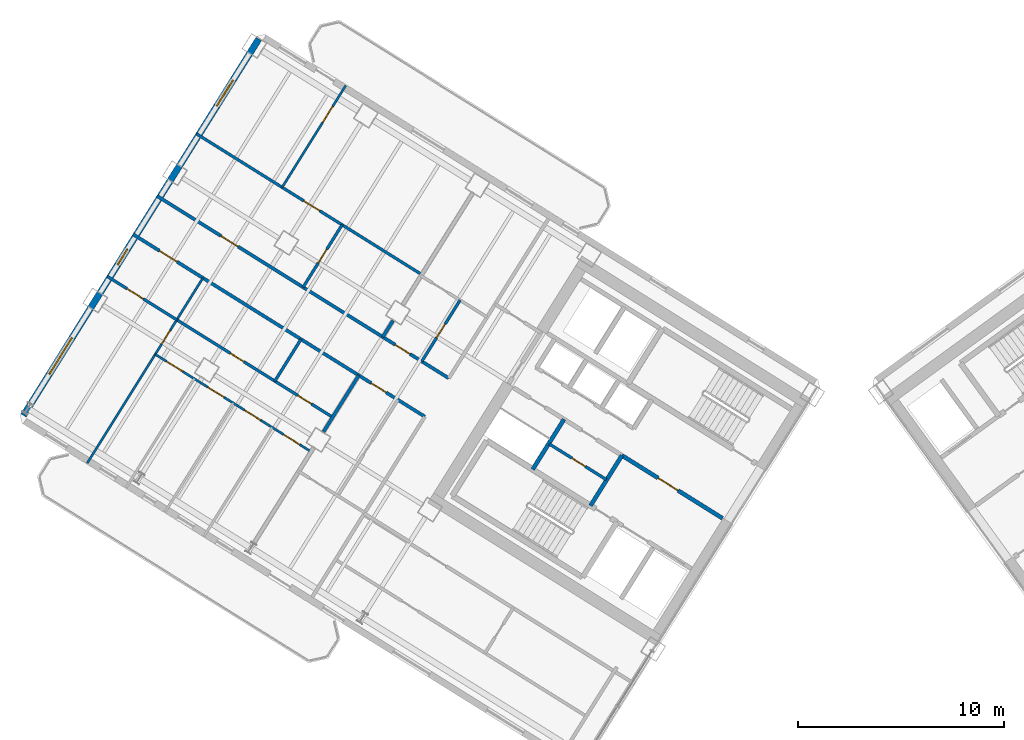
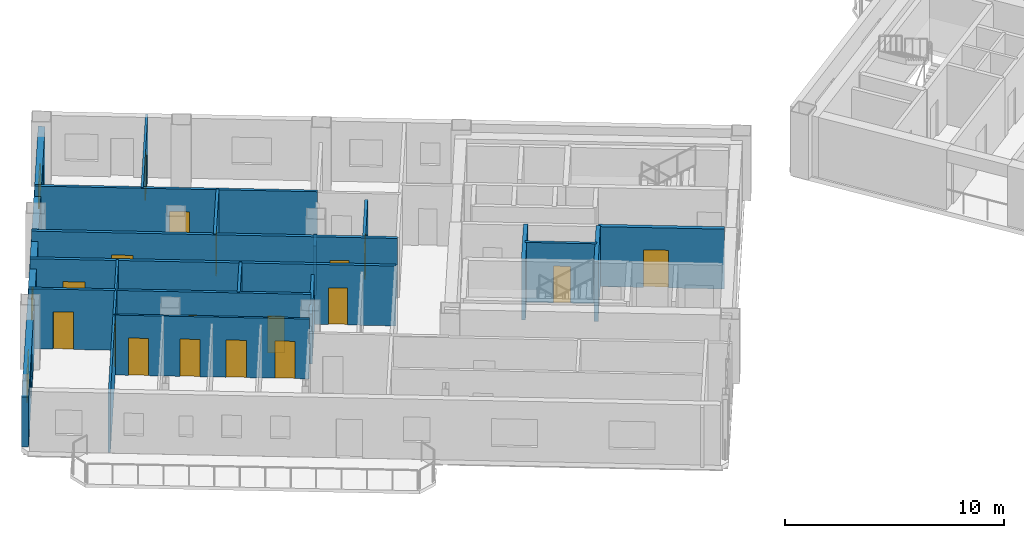
# One storey, part 11 of 18: 18 doors, 18 walls, 3 windows, 21 openings.
"""IFC4 building model written with IfcOpenShell, lengths in metres."""

import ifcopenshell
import ifcopenshell.guid

model = None  # the IFC model being written
_history = None  # IfcOwnerHistory: only IFC2X3 demands one
_inside = {}  # id of a spatial element -> (the spatial element, [elements in it])
_under = {}  # id of a project, library or spatial element -> (it, [spatial elements below it])
_declared = {}  # id of a project -> (the project, [libraries it declares])
_typed = {}  # id of a type object -> (the type object, [elements of that type])
_made_of = {}  # id of a material, layer set ... -> (it, [elements and type objects made of it])


def new_model(schema):
    """Start an empty IFC model of exactly this schema.

    Asked for "IFC4X3", IfcOpenShell would pick the latest addendum, in which some entities
    have other attributes; the version numbers below select the first issue.
    IFC2X3 requires an IfcOwnerHistory on every rooted entity: one is made here for all.
    """
    global model, _history
    if schema == "IFC4X3":
        model = ifcopenshell.file(schema_version=(4, 3, 0, 0))
    else:
        model = ifcopenshell.file(schema=schema)
    _inside.clear()
    _under.clear()
    _declared.clear()
    _typed.clear()
    _made_of.clear()
    _history = None
    if model.schema == "IFC2X3":
        org = make("IfcOrganization", Name="unknown")
        user = make(
            "IfcPersonAndOrganization",
            ThePerson=make("IfcPerson", FamilyName="unknown"),
            TheOrganization=org,
        )
        app = make(
            "IfcApplication",
            ApplicationDeveloper=org,
            Version="unknown",
            ApplicationFullName="unknown",
            ApplicationIdentifier="unknown",
        )
        _history = make(
            "IfcOwnerHistory",
            OwningUser=user,
            OwningApplication=app,
            ChangeAction="ADDED",
            CreationDate=0,
        )
    return model


def make(cls, **values):
    """One entity of the class cls with the attributes given. An attribute that is None is left unset."""
    return model.create_entity(
        cls, **{name: value for name, value in values.items() if value is not None}
    )


def rooted(cls, **values):
    """An entity with a GlobalId (a new one), such as an element, a storey or a relation."""
    return make(cls, GlobalId=ifcopenshell.guid.new(), OwnerHistory=_history, **values)


def si_unit(unit_type, name, prefix=None):
    """IfcSIUnit, for example si_unit("LENGTHUNIT", "METRE", prefix="MILLI")."""
    return make("IfcSIUnit", UnitType=unit_type, Prefix=prefix, Name=name)


def assignment(units):
    """IfcUnitAssignment: the units of a project."""
    return None if units is None else make("IfcUnitAssignment", Units=units)


def point(xyz):
    """IfcCartesianPoint."""
    return None if xyz is None else make("IfcCartesianPoint", Coordinates=xyz)


def direction(xyz):
    """IfcDirection."""
    return None if xyz is None else make("IfcDirection", DirectionRatios=xyz)


def frame(location, z_axis=None, x_axis=None):
    """IfcAxis2Placement3D, a coordinate frame: its origin and axes. An axis left out is left unset."""
    return make(
        "IfcAxis2Placement3D",
        Location=point(location),
        Axis=direction(z_axis),
        RefDirection=direction(x_axis),
    )


def frame_2d(location, x_axis=None):
    """IfcAxis2Placement2D, a coordinate frame in the plane: its origin and x axis."""
    return make(
        "IfcAxis2Placement2D", Location=point(location), RefDirection=direction(x_axis)
    )


def origin():
    """The frame at (0, 0, 0) with its axes left unset."""
    return frame((0.0, 0.0, 0.0))


def place(relative_to, where):
    """IfcLocalPlacement: puts the frame where relative to a parent placement (None: the world)."""
    return make(
        "IfcLocalPlacement", PlacementRelTo=relative_to, RelativePlacement=where
    )


def context(
    kind, dimensions, precision=None, world=None, true_north=None, identifier=None
):
    """IfcGeometricRepresentationContext, for example the 3D "Model" context."""
    return make(
        "IfcGeometricRepresentationContext",
        ContextIdentifier=identifier,
        ContextType=kind,
        CoordinateSpaceDimension=dimensions,
        Precision=precision,
        WorldCoordinateSystem=world,
        TrueNorth=true_north,
    )


def subcontext(parent, identifier, kind, view, scale=None):
    """IfcGeometricRepresentationSubContext, for example "Body" below "Model"."""
    return make(
        "IfcGeometricRepresentationSubContext",
        ContextIdentifier=identifier,
        ContextType=kind,
        ParentContext=parent,
        TargetScale=scale,
        TargetView=view,
    )


def project(units=None, contexts=None):
    """IfcProject with its units and contexts."""
    return rooted(
        "IfcProject",
        Name="project",
        RepresentationContexts=contexts,
        UnitsInContext=assignment(units),
    )


def spatial(cls, under=None, at=None, **own):
    """A site, building, storey or space (cls), placed at a placement, below another one or the project."""
    s = rooted(cls, ObjectPlacement=at, **own)
    if under is not None:
        _under.setdefault(under.id(), (under, []))[1].append(s)
    return s


def profile(cls, at=None, kind="AREA", **sizes):
    """A parametric profile (cls). Its sizes go by their IFC names, for example OverallWidth=200.0."""
    return make(cls, ProfileType=kind, Position=at, **sizes)


def rectangle(**sizes):
    """IfcRectangleProfileDef."""
    return profile("IfcRectangleProfileDef", **sizes)


def extrude(swept, where, along, depth):
    """IfcExtrudedAreaSolid: the profile swept, set in the frame where, extruded along a direction by depth."""
    return make(
        "IfcExtrudedAreaSolid",
        SweptArea=swept,
        Position=where,
        ExtrudedDirection=direction(along),
        Depth=depth,
    )


def shape(context_of_items, identifier, shape_type, items):
    """IfcShapeRepresentation: the items that make up one representation, for example the "Body"."""
    return make(
        "IfcShapeRepresentation",
        ContextOfItems=context_of_items,
        RepresentationIdentifier=identifier,
        RepresentationType=shape_type,
        Items=items,
    )


def source(mapping_origin, context_of_items, identifier, shape_type, items):
    """IfcRepresentationMap: a shape defined once, which mapped items show again and again."""
    return make(
        "IfcRepresentationMap",
        MappingOrigin=mapping_origin,
        MappedRepresentation=shape(context_of_items, identifier, shape_type, items),
    )


def transform(
    local_origin,
    x_axis=None,
    y_axis=None,
    z_axis=None,
    scale=None,
    scale2=None,
    scale3=None,
    uniform=True,
):
    """IfcCartesianTransformationOperator3D, or its non-uniform kind. x_axis, y_axis, z_axis: its Axis1, 2, 3."""
    if uniform:
        return make(
            "IfcCartesianTransformationOperator3D",
            Axis1=direction(x_axis),
            Axis2=direction(y_axis),
            LocalOrigin=point(local_origin),
            Scale=scale,
            Axis3=direction(z_axis),
        )
    return make(
        "IfcCartesianTransformationOperator3DnonUniform",
        Axis1=direction(x_axis),
        Axis2=direction(y_axis),
        LocalOrigin=point(local_origin),
        Scale=scale,
        Axis3=direction(z_axis),
        Scale2=scale2,
        Scale3=scale3,
    )


def mapped(mapping_source, mapping_target):
    """IfcMappedItem: shows the shape of a source again, moved by a transform."""
    return make(
        "IfcMappedItem", MappingSource=mapping_source, MappingTarget=mapping_target
    )


def material(Name=None, Category=None):
    """IfcMaterial."""
    return make("IfcMaterial", Name=Name, Category=Category)


def layer(
    of_material, thickness, ventilated=None, Name=None, Category=None, Priority=None
):
    """IfcMaterialLayer: one layer of a wall or slab, of a material (None: an air gap)."""
    return make(
        "IfcMaterialLayer",
        Material=of_material,
        LayerThickness=thickness,
        IsVentilated=ventilated,
        Name=Name,
        Category=Category,
        Priority=Priority,
    )


def layer_set(layers, Name=None):
    """IfcMaterialLayerSet."""
    return make("IfcMaterialLayerSet", MaterialLayers=layers, LayerSetName=Name)


def made_of(thing, what):
    """Note that an element or type object is made of a material, layer set ...; save() writes the relation."""
    if what is not None:
        _made_of.setdefault(what.id(), (what, []))[1].append(thing)
    return thing


def type_object(cls, material=None, **own):
    """A type object (cls), such as IfcWallType, which elements share."""
    return made_of(rooted(cls, **own), material)


def element(
    cls,
    number,
    at=None,
    inside=None,
    cuts=None,
    type_object=None,
    material=None,
    context=None,
    identifier="Body",
    shape_type=None,
    held_by="IfcProductDefinitionShape",
    body=None,
    shapes=None,
    **own,
):
    """One element of the class cls, such as IfcWall. Its Tag is "e" and its number.

    at: its placement. inside: the storey or other place that contains it. cuts: it is an
    opening in that element (IfcRelVoidsElement). A single representation is given by context,
    identifier, shape_type and body (its items); several are given by shapes. held_by: the class
    of the entity that holds the representations. save() writes the other relations.
    """
    e = rooted(cls, Tag="e%d" % number, ObjectPlacement=at, **own)
    if body is not None:
        shapes = [shape(context, identifier, shape_type, body)]
    if shapes is not None:
        e.Representation = make(held_by, Representations=shapes)
    if inside is not None:
        _inside.setdefault(inside.id(), (inside, []))[1].append(e)
    if cuts is not None:
        rooted(
            "IfcRelVoidsElement", RelatingBuildingElement=cuts, RelatedOpeningElement=e
        )
    if type_object is not None:
        _typed.setdefault(type_object.id(), (type_object, []))[1].append(e)
    return made_of(e, material)


def fill(opening, filler):
    """IfcRelFillsElement: the door or window that sits in an opening."""
    return rooted(
        "IfcRelFillsElement",
        RelatingOpeningElement=opening,
        RelatedBuildingElement=filler,
    )


def aggregate(whole, parts):
    """IfcRelAggregates: a whole, such as a stair, and the parts it consists of."""
    return rooted("IfcRelAggregates", RelatingObject=whole, RelatedObjects=parts)


def save(model, path):
    """Write the relations noted so far, then the file.

    IfcRelAggregates (storeys below a building ...), IfcRelContainedInSpatialStructure (elements
    in a storey), IfcRelDefinesByType, IfcRelAssociatesMaterial and IfcRelDeclares: one each for
    every whole, place, type object, material and project.
    """
    for whole, parts in _under.values():
        aggregate(whole, parts)
    for where, things in _inside.values():
        rooted(
            "IfcRelContainedInSpatialStructure",
            RelatedElements=things,
            RelatingStructure=where,
        )
    for kind, things in _typed.values():
        rooted("IfcRelDefinesByType", RelatedObjects=things, RelatingType=kind)
    for what, things in _made_of.values():
        rooted("IfcRelAssociatesMaterial", RelatedObjects=things, RelatingMaterial=what)
    for by, libraries in _declared.values():
        rooted("IfcRelDeclares", RelatingContext=by, RelatedDefinitions=libraries)
    model.write(path)


model = new_model("IFC4")

# Units and contexts
model_context = context("Model", 3, precision=1e-05, world=origin(), true_north=direction((0.0, 1.0)))
body_context = subcontext(model_context, "Body", "Model", "MODEL_VIEW")
ifc_project = project(units=[si_unit("LENGTHUNIT", "METRE"), si_unit("AREAUNIT", "SQUARE_METRE"), si_unit("VOLUMEUNIT", "CUBIC_METRE"), si_unit("PLANEANGLEUNIT", "RADIAN"), si_unit("MASSUNIT", "GRAM", prefix="KILO")], contexts=[model_context])

# Site, building, storey
site_placement = place(None, origin())
site = spatial("IfcSite", under=ifc_project, at=site_placement, CompositionType="ELEMENT")
building_placement = place(site_placement, origin())
building = spatial("IfcBuilding", under=site, at=building_placement, Name="Tlacorven Tower", CompositionType="ELEMENT")
storey_placement = place(building_placement, frame((0.0, 0.0, 140.699951171875)))
storey = spatial("IfcBuildingStorey", under=building, at=storey_placement, Name="L35", CompositionType="ELEMENT", Elevation=140.699951171875)

# Wall, openings, doors
ifc_material_1 = material(Name="Gypsum plasterboard acoustic partition", Category="gypsum")
ifc_layer_1 = layer(ifc_material_1, 0.159912109375)
ifc_layer_set_1 = layer_set([ifc_layer_1], Name="Gypsum plasterboard acoustic partition")
wall_type_1 = type_object("IfcWallType", Name="WL-DEM-160", PredefinedType="PARTITIONING", material=ifc_layer_set_1)
wall_1_placement = place(storey_placement, frame((23.104248046875, 25.25634765625, 0.0), z_axis=(0.0, 0.0, 1.0), x_axis=(-0.848041752158, 0.529929416617, 0.0)))
wall_1 = element("IfcWall", 1, at=wall_1_placement, inside=storey, type_object=wall_type_1, Name="L35 Wing W Corridor South Wall", PredefinedType="PARTITIONING", context=body_context, shape_type="SweptSolid", body=[
    extrude(rectangle(XDim=16.72998046875, YDim=0.159912109375, at=frame_2d((8.364990234375, 0.0))), origin(), (0.0, 0.0, 1.0), 3.340087890625),
])
opening_1_placement = place(wall_1_placement, frame((2.219970703125, 0.0, 0.0)))
opening_1 = element("IfcOpeningElement", 2, at=opening_1_placement, cuts=wall_1, Name="Opening D19", PredefinedType="OPENING", context=body_context, shape_type="SweptSolid", body=[
    extrude(rectangle(XDim=0.860107421875, YDim=2.050048828125, at=frame_2d((0.43017578125, 1.02490234375))), frame((0.0, 0.08984375, 0.0), z_axis=(0.0, -1.0, 0.0), x_axis=(1.0, 0.0, 0.0)), (0.0, 0.0, 1.0), 0.179931640625),
])
opening_2_placement = place(wall_1_placement, frame((12.083984375, 0.0, 0.0)))
opening_2 = element("IfcOpeningElement", 3, at=opening_2_placement, cuts=wall_1, Name="Opening D11", PredefinedType="OPENING", context=body_context, shape_type="SweptSolid", body=[
    extrude(rectangle(XDim=1.0, YDim=2.10009765625, at=frame_2d((0.5, 1.050048828125))), frame((0.0, 0.08984375, 0.0), z_axis=(0.0, -1.0, 0.0), x_axis=(1.0, 0.0, 0.0)), (0.0, 0.0, 1.0), 0.179931640625),
])
ifc_material_2 = material(Name="Fire-rated steel door assembly", Category="steel")
door_type_1 = type_object("IfcDoorType", Name="DR-RSR-FD60-0860", OperationType="NOTDEFINED", PredefinedType="DOOR", material=ifc_material_2)
shared_shape_1 = source(origin(), body_context, "Body", "SweptSolid", [
    extrude(rectangle(XDim=0.860107421875, YDim=2.050048828125, at=frame_2d((0.43017578125, 1.02490234375))), frame((0.0, 0.02490234375, 0.0), z_axis=(0.0, -1.0, 0.0), x_axis=(1.0, 0.0, 0.0)), (0.0, 0.0, 1.0), 0.050048828125),
])
door_1_placement = place(opening_1_placement, origin())
door_1 = element("IfcDoor", 4, at=door_1_placement, inside=storey, type_object=door_type_1, Name="L35 door 038", OperationType="SINGLE_SWING_RIGHT", OverallHeight=2.050048828125, OverallWidth=0.860107421875, PredefinedType="DOOR", context=body_context, shape_type="MappedRepresentation", body=[
    mapped(shared_shape_1, transform((0.0, 0.0, 0.0), scale=1.0)),
])
fill(opening_1, door_1)
door_type_2 = type_object("IfcDoorType", Name="DR-FLT-FD60-1000", OperationType="NOTDEFINED", PredefinedType="DOOR", material=ifc_material_2)
shared_shape_2 = source(origin(), body_context, "Body", "SweptSolid", [
    extrude(rectangle(XDim=1.0, YDim=2.10009765625, at=frame_2d((0.5, 1.050048828125))), frame((0.0, 0.02490234375, 0.0), z_axis=(0.0, -1.0, 0.0), x_axis=(1.0, 0.0, 0.0)), (0.0, 0.0, 1.0), 0.050048828125),
])
door_2_placement = place(opening_2_placement, origin())
door_2 = element("IfcDoor", 5, at=door_2_placement, inside=storey, type_object=door_type_2, Name="L35 door 042", OperationType="SINGLE_SWING_RIGHT", OverallHeight=2.10009765625, OverallWidth=1.0, PredefinedType="DOOR", context=body_context, shape_type="MappedRepresentation", body=[
    mapped(shared_shape_2, transform((0.0, 0.0, 0.0), scale=1.0)),
])
fill(opening_2, door_2)

wall_2_placement = place(storey_placement, frame((21.9384765625, 23.390625, 0.0), z_axis=(0.0, 0.0, 1.0), x_axis=(-0.848045850158, 0.529922858565, 0.0)))
wall_2 = element("IfcWall", 6, at=wall_2_placement, inside=storey, type_object=wall_type_1, Name="L35 Wing W Corridor North Wall", PredefinedType="PARTITIONING", context=body_context, shape_type="SweptSolid", body=[
    extrude(rectangle(XDim=16.730224609375, YDim=0.159912109375, at=frame_2d((8.365234375, 0.0))), origin(), (0.0, 0.0, 1.0), 3.340087890625),
])
opening_3_placement = place(wall_2_placement, frame((2.219970703125, 0.0, 0.0)))
opening_3 = element("IfcOpeningElement", 7, at=opening_3_placement, cuts=wall_2, Name="Opening D19", PredefinedType="OPENING", context=body_context, shape_type="SweptSolid", body=[
    extrude(rectangle(XDim=0.860107421875, YDim=2.050048828125, at=frame_2d((0.43017578125, 1.02490234375))), frame((0.0, 0.08984375, 0.0), z_axis=(0.0, -1.0, 0.0), x_axis=(1.0, 0.0, 0.0)), (0.0, 0.0, 1.0), 0.179931640625),
])
opening_4_placement = place(wall_2_placement, frame((14.219970703125, 0.0, 0.0)))
opening_4 = element("IfcOpeningElement", 8, at=opening_4_placement, cuts=wall_2, Name="Opening D11", PredefinedType="OPENING", context=body_context, shape_type="SweptSolid", body=[
    extrude(rectangle(XDim=1.0, YDim=2.10009765625, at=frame_2d((0.5, 1.050048828125))), frame((0.0, 0.08984375, 0.0), z_axis=(0.0, -1.0, 0.0), x_axis=(1.0, 0.0, 0.0)), (0.0, 0.0, 1.0), 0.179931640625),
])
door_3_placement = place(opening_3_placement, origin())
door_3 = element("IfcDoor", 9, at=door_3_placement, inside=storey, type_object=door_type_1, Name="L35 door 025", OperationType="SINGLE_SWING_LEFT", OverallHeight=2.050048828125, OverallWidth=0.860107421875, PredefinedType="DOOR", context=body_context, shape_type="MappedRepresentation", body=[
    mapped(shared_shape_1, transform((0.0, 0.0, 0.0), scale=1.0)),
])
fill(opening_3, door_3)
door_4_placement = place(opening_4_placement, origin())
door_4 = element("IfcDoor", 10, at=door_4_placement, inside=storey, type_object=door_type_2, Name="L35 door 029", OperationType="SINGLE_SWING_LEFT", OverallHeight=2.10009765625, OverallWidth=1.0, PredefinedType="DOOR", context=body_context, shape_type="MappedRepresentation", body=[
    mapped(shared_shape_2, transform((0.0, 0.0, 0.0), scale=1.0)),
])
fill(opening_4, door_4)

# Walls
wall_3_placement = place(storey_placement, frame((18.724365234375, 25.399169921875, 0.0), z_axis=(0.0, 0.0, 1.0), x_axis=(-0.529890499457, -0.848066069705, 0.0)))
element("IfcWall", 11, at=wall_3_placement, inside=storey, type_object=wall_type_1, Name="L35 WN Demising Wall 1", PredefinedType="PARTITIONING", context=body_context, shape_type="SweptSolid", body=[
    extrude(rectangle(XDim=3.238037109375, YDim=0.159912109375, at=frame_2d((1.619140625, 0.0))), origin(), (0.0, 0.0, 1.0), 2.775146484375),
])
wall_4_placement = place(storey_placement, frame((20.38720703125, 28.060302734375, 0.0), z_axis=(0.0, 0.0, 1.0), x_axis=(-0.529952145338, -0.848027548876, 0.0)))
element("IfcWall", 12, at=wall_4_placement, inside=storey, type_object=wall_type_1, Name="L35 WS Demising Wall 1", PredefinedType="PARTITIONING", context=body_context, shape_type="SweptSolid", body=[
    extrude(rectangle(XDim=0.93798828125, YDim=0.159912109375, at=frame_2d((0.468994140625, 0.0))), origin(), (0.0, 0.0, 1.0), 2.775146484375),
])

# Wall, openings, windows
ifc_material_3 = material(Name="Precast concrete C45/55", Category="concrete")
ifc_layer_2 = layer(ifc_material_3, 0.320068359375)
ifc_layer_set_2 = layer_set([ifc_layer_2], Name="Precast concrete C45/55")
wall_type_2 = type_object("IfcWallType", Name="WL-EXT-320", PredefinedType="STANDARD", material=ifc_layer_set_2)
wall_5_placement = place(storey_placement, frame((2.41455078125, 23.452392578125, 0.0), z_axis=(0.0, 0.0, 1.0), x_axis=(0.52991049553, 0.848053575387, 0.0)))
wall_5 = element("IfcWall", 13, at=wall_5_placement, inside=storey, type_object=wall_type_2, Name="L35 Masonry-Frame Recessed Facade Wall 2", PredefinedType="STANDARD", context=body_context, shape_type="SweptSolid", body=[
    extrude(rectangle(XDim=21.58740234375, YDim=0.320068359375, at=frame_2d((10.793701171875, 0.0))), origin(), (0.0, 0.0, 1.0), 2.775146484375),
])
opening_5_placement = place(wall_5_placement, frame((2.356201171875, 0.0, 0.800048828125)))
opening_5 = element("IfcOpeningElement", 14, at=opening_5_placement, cuts=wall_5, Name="Opening WN04", PredefinedType="OPENING", context=body_context, shape_type="SweptSolid", body=[
    extrude(rectangle(XDim=2.10009765625, YDim=1.550048828125, at=frame_2d((1.050048828125, 0.77490234375))), frame((0.0, 0.169921875, 0.0), z_axis=(0.0, -1.0, 0.0), x_axis=(1.0, 0.0, 0.0)), (0.0, 0.0, 1.0), 0.340087890625),
])
opening_6_placement = place(wall_5_placement, frame((8.638671875, 0.0, 1.0)))
opening_6 = element("IfcOpeningElement", 15, at=opening_6_placement, cuts=wall_5, Name="Opening WN05", PredefinedType="OPENING", context=body_context, shape_type="SweptSolid", body=[
    extrude(rectangle(XDim=0.89990234375, YDim=1.25, at=frame_2d((0.449951171875, 0.625))), frame((0.0, 0.169921875, 0.0), z_axis=(0.0, -1.0, 0.0), x_axis=(1.0, 0.0, 0.0)), (0.0, 0.0, 1.0), 0.340087890625),
])
opening_7_placement = place(wall_5_placement, frame((17.74365234375, 0.0, 0.85009765625)))
opening_7 = element("IfcOpeningElement", 16, at=opening_7_placement, cuts=wall_5, Name="Opening WN02", PredefinedType="OPENING", context=body_context, shape_type="SweptSolid", body=[
    extrude(rectangle(XDim=1.5, YDim=1.5, at=frame_2d((0.75, 0.75))), frame((0.0, 0.169921875, 0.0), z_axis=(0.0, -1.0, 0.0), x_axis=(1.0, 0.0, 0.0)), (0.0, 0.0, 1.0), 0.340087890625),
])
ifc_material_4 = material(Name="Dark solar low-E double glazing in anodised aluminium frame", Category="aluminium")
window_type_1 = type_object("IfcWindowType", Name="WN-APT-2100X1750", PartitioningType="SINGLE_PANEL", PredefinedType="WINDOW", material=ifc_material_4)
shared_shape_3 = source(origin(), body_context, "Body", "SweptSolid", [
    extrude(rectangle(XDim=2.10009765625, YDim=1.550048828125, at=frame_2d((1.050048828125, 0.77490234375))), frame((0.0, 0.030029296875, 0.0), z_axis=(0.0, -1.0, 0.0), x_axis=(1.0, 0.0, 0.0)), (0.0, 0.0, 1.0), 0.06005859375),
])
window_1_placement = place(opening_5_placement, origin())
window_1 = element("IfcWindow", 17, at=window_1_placement, inside=storey, type_object=window_type_1, Name="L35 Recessed Masonry-Frame Window L35-02.1", OverallHeight=1.550048828125, OverallWidth=2.10009765625, PartitioningType="SINGLE_PANEL", PredefinedType="WINDOW", context=body_context, shape_type="MappedRepresentation", body=[
    mapped(shared_shape_3, transform((0.0, 0.0, 0.0), scale=1.0)),
])
fill(opening_5, window_1)
window_type_2 = type_object("IfcWindowType", Name="WN-APT-1500X1650", PartitioningType="SINGLE_PANEL", PredefinedType="WINDOW", material=ifc_material_4)
shared_shape_4 = source(origin(), body_context, "Body", "SweptSolid", [
    extrude(rectangle(XDim=1.5, YDim=1.5, at=frame_2d((0.75, 0.75))), frame((0.0, 0.030029296875, 0.0), z_axis=(0.0, -1.0, 0.0), x_axis=(1.0, 0.0, 0.0)), (0.0, 0.0, 1.0), 0.06005859375),
])
window_2_placement = place(opening_7_placement, origin())
window_2 = element("IfcWindow", 18, at=window_2_placement, inside=storey, type_object=window_type_2, Name="L35 Recessed Masonry-Frame Window L35-02.3", OverallHeight=1.5, OverallWidth=1.5, PartitioningType="SINGLE_PANEL", PredefinedType="WINDOW", context=body_context, shape_type="MappedRepresentation", body=[
    mapped(shared_shape_4, transform((0.0, 0.0, 0.0), scale=1.0)),
])
fill(opening_7, window_2)
window_type_3 = type_object("IfcWindowType", Name="WN-APT-0900X1350", PartitioningType="SINGLE_PANEL", PredefinedType="WINDOW", material=ifc_material_4)
shared_shape_5 = source(origin(), body_context, "Body", "SweptSolid", [
    extrude(rectangle(XDim=0.89990234375, YDim=1.25, at=frame_2d((0.449951171875, 0.625))), frame((0.0, 0.030029296875, 0.0), z_axis=(0.0, -1.0, 0.0), x_axis=(1.0, 0.0, 0.0)), (0.0, 0.0, 1.0), 0.06005859375),
])
window_3_placement = place(opening_6_placement, origin())
window_3 = element("IfcWindow", 19, at=window_3_placement, inside=storey, type_object=window_type_3, Name="L35 Recessed Masonry-Frame Window L35-02.2", OverallHeight=1.25, OverallWidth=0.89990234375, PartitioningType="SINGLE_PANEL", PredefinedType="WINDOW", context=body_context, shape_type="MappedRepresentation", body=[
    mapped(shared_shape_5, transform((0.0, 0.0, 0.0), scale=1.0)),
])
fill(opening_6, window_3)

# Wall, opening, door
ifc_material_5 = material(Name="Gypsum plasterboard partition", Category="gypsum")
ifc_layer_3 = layer(ifc_material_5, 0.110107421875)
ifc_layer_set_3 = layer_set([ifc_layer_3], Name="Gypsum plasterboard partition")
wall_type_3 = type_object("IfcWallType", Name="WL-INT-110", PredefinedType="PARTITIONING", material=ifc_layer_set_3)
wall_6_placement = place(storey_placement, frame((11.142822265625, 30.136474609375, 0.0), z_axis=(0.0, 0.0, 1.0), x_axis=(-0.529922479612, -0.848046086956, 0.0)))
wall_6 = element("IfcWall", 20, at=wall_6_placement, inside=storey, type_object=wall_type_3, Name="L35 partition 56", PredefinedType="PARTITIONING", context=body_context, shape_type="SweptSolid", body=[
    extrude(rectangle(XDim=10.619873046875, YDim=0.110107421875, at=frame_2d((5.31005859375, 0.0))), origin(), (0.0, 0.0, 1.0), 3.340087890625),
])
opening_8_placement = place(wall_6_placement, frame((3.0, 0.0, 0.0)))
opening_8 = element("IfcOpeningElement", 21, at=opening_8_placement, cuts=wall_6, Name="Opening D22", PredefinedType="OPENING", context=body_context, shape_type="SweptSolid", body=[
    extrude(rectangle(XDim=0.780029296875, YDim=2.050048828125, at=frame_2d((0.39013671875, 1.02490234375))), frame((0.0, 0.06494140625, 0.0), z_axis=(0.0, -1.0, 0.0), x_axis=(1.0, 0.0, 0.0)), (0.0, 0.0, 1.0), 0.130126953125),
])
ifc_material_6 = material(Name="Powder-coated aluminium and timber door", Category="wood")
door_type_3 = type_object("IfcDoorType", Name="DR-INT-WET-0780", OperationType="NOTDEFINED", PredefinedType="DOOR", material=ifc_material_6)
shared_shape_6 = source(origin(), body_context, "Body", "SweptSolid", [
    extrude(rectangle(XDim=0.780029296875, YDim=2.050048828125, at=frame_2d((0.39013671875, 1.02490234375))), frame((0.0, 0.02490234375, 0.0), z_axis=(0.0, -1.0, 0.0), x_axis=(1.0, 0.0, 0.0)), (0.0, 0.0, 1.0), 0.050048828125),
])
door_5_placement = place(opening_8_placement, origin())
door_5 = element("IfcDoor", 22, at=door_5_placement, inside=storey, type_object=door_type_3, Name="L35 door 031", OperationType="SINGLE_SWING_LEFT", OverallHeight=2.050048828125, OverallWidth=0.780029296875, PredefinedType="DOOR", context=body_context, shape_type="MappedRepresentation", body=[
    mapped(shared_shape_6, transform((0.0, 0.0, 0.0), scale=1.0)),
])
fill(opening_8, door_5)

# Wall, openings, doors
wall_7_placement = place(storey_placement, frame((16.4033203125, 21.6845703125, 0.0), z_axis=(0.0, 0.0, 1.0), x_axis=(-0.848044326704, 0.52992529657, 0.0)))
wall_7 = element("IfcWall", 23, at=wall_7_placement, inside=storey, type_object=wall_type_3, Name="L35 partition 61", PredefinedType="PARTITIONING", context=body_context, shape_type="SweptSolid", body=[
    extrude(rectangle(XDim=8.93994140625, YDim=0.110107421875, at=frame_2d((4.469970703125, 0.0))), origin(), (0.0, 0.0, 1.0), 3.340087890625),
])
opening_9_placement = place(wall_7_placement, frame((0.657470703125, 0.0, 0.0)))
opening_9 = element("IfcOpeningElement", 24, at=opening_9_placement, cuts=wall_7, Name="Opening D12", PredefinedType="OPENING", context=body_context, shape_type="SweptSolid", body=[
    extrude(rectangle(XDim=0.919921875, YDim=2.080078125, at=frame_2d((0.4599609375, 1.0400390625))), frame((0.0, 0.06494140625, 0.0), z_axis=(0.0, -1.0, 0.0), x_axis=(1.0, 0.0, 0.0)), (0.0, 0.0, 1.0), 0.130126953125),
])
opening_10_placement = place(wall_7_placement, frame((2.892578125, 0.0, 0.0)))
opening_10 = element("IfcOpeningElement", 25, at=opening_10_placement, cuts=wall_7, Name="Opening D12", PredefinedType="OPENING", context=body_context, shape_type="SweptSolid", body=[
    extrude(rectangle(XDim=0.919921875, YDim=2.080078125, at=frame_2d((0.4599609375, 1.0400390625))), frame((0.0, 0.06494140625, 0.0), z_axis=(0.0, -1.0, 0.0), x_axis=(1.0, 0.0, 0.0)), (0.0, 0.0, 1.0), 0.130126953125),
])
opening_11_placement = place(wall_7_placement, frame((5.007568359375, 0.0, 0.0)))
opening_11 = element("IfcOpeningElement", 26, at=opening_11_placement, cuts=wall_7, Name="Opening D12", PredefinedType="OPENING", context=body_context, shape_type="SweptSolid", body=[
    extrude(rectangle(XDim=0.919921875, YDim=2.080078125, at=frame_2d((0.4599609375, 1.0400390625))), frame((0.0, 0.06494140625, 0.0), z_axis=(0.0, -1.0, 0.0), x_axis=(1.0, 0.0, 0.0)), (0.0, 0.0, 1.0), 0.130126953125),
])
opening_12_placement = place(wall_7_placement, frame((7.362548828125, 0.0, 0.0)))
opening_12 = element("IfcOpeningElement", 27, at=opening_12_placement, cuts=wall_7, Name="Opening D12", PredefinedType="OPENING", context=body_context, shape_type="SweptSolid", body=[
    extrude(rectangle(XDim=0.919921875, YDim=2.080078125, at=frame_2d((0.4599609375, 1.0400390625))), frame((0.0, 0.06494140625, 0.0), z_axis=(0.0, -1.0, 0.0), x_axis=(1.0, 0.0, 0.0)), (0.0, 0.0, 1.0), 0.130126953125),
])
door_type_4 = type_object("IfcDoorType", Name="DR-INT-ROOM-0920", OperationType="NOTDEFINED", PredefinedType="DOOR", material=ifc_material_6)
shared_shape_7 = source(origin(), body_context, "Body", "SweptSolid", [
    extrude(rectangle(XDim=0.919921875, YDim=2.080078125, at=frame_2d((0.4599609375, 1.0400390625))), frame((0.0, 0.02490234375, 0.0), z_axis=(0.0, -1.0, 0.0), x_axis=(1.0, 0.0, 0.0)), (0.0, 0.0, 1.0), 0.050048828125),
])
door_6_placement = place(opening_9_placement, origin())
door_6 = element("IfcDoor", 28, at=door_6_placement, inside=storey, type_object=door_type_4, Name="L35 door 034", OperationType="SINGLE_SWING_RIGHT", OverallHeight=2.080078125, OverallWidth=0.919921875, PredefinedType="DOOR", context=body_context, shape_type="MappedRepresentation", body=[
    mapped(shared_shape_7, transform((0.0, 0.0, 0.0), scale=1.0)),
])
fill(opening_9, door_6)
door_7_placement = place(opening_10_placement, origin())
door_7 = element("IfcDoor", 29, at=door_7_placement, inside=storey, type_object=door_type_4, Name="L35 door 035", OperationType="SINGLE_SWING_LEFT", OverallHeight=2.080078125, OverallWidth=0.919921875, PredefinedType="DOOR", context=body_context, shape_type="MappedRepresentation", body=[
    mapped(shared_shape_7, transform((0.0, 0.0, 0.0), scale=1.0)),
])
fill(opening_10, door_7)
door_8_placement = place(opening_11_placement, origin())
door_8 = element("IfcDoor", 30, at=door_8_placement, inside=storey, type_object=door_type_4, Name="L35 door 036", OperationType="SINGLE_SWING_RIGHT", OverallHeight=2.080078125, OverallWidth=0.919921875, PredefinedType="DOOR", context=body_context, shape_type="MappedRepresentation", body=[
    mapped(shared_shape_7, transform((0.0, 0.0, 0.0), scale=1.0)),
])
fill(opening_11, door_8)
door_9_placement = place(opening_12_placement, origin())
door_9 = element("IfcDoor", 31, at=door_9_placement, inside=storey, type_object=door_type_4, Name="L35 door 037", OperationType="SINGLE_SWING_LEFT", OverallHeight=2.080078125, OverallWidth=0.919921875, PredefinedType="DOOR", context=body_context, shape_type="MappedRepresentation", body=[
    mapped(shared_shape_7, transform((0.0, 0.0, 0.0), scale=1.0)),
])
fill(opening_12, door_9)

# Wall, opening, door
wall_8_placement = place(storey_placement, frame((18.089111328125, 39.498046875, 0.0), z_axis=(0.0, 0.0, 1.0), x_axis=(-0.529916267533, -0.848049968695, 0.0)))
wall_8 = element("IfcWall", 32, at=wall_8_placement, inside=storey, type_object=wall_type_3, Name="L35 partition 70", PredefinedType="PARTITIONING", context=body_context, shape_type="SweptSolid", body=[
    extrude(rectangle(XDim=5.840087890625, YDim=0.110107421875, at=frame_2d((2.919921875, 0.0))), origin(), (0.0, 0.0, 1.0), 3.340087890625),
])
opening_13_placement = place(wall_8_placement, frame((1.18994140625, 0.0, 0.0)))
opening_13 = element("IfcOpeningElement", 33, at=opening_13_placement, cuts=wall_8, Name="Opening D12", PredefinedType="OPENING", context=body_context, shape_type="SweptSolid", body=[
    extrude(rectangle(XDim=0.919921875, YDim=2.080078125, at=frame_2d((0.4599609375, 1.0400390625))), frame((0.0, 0.06494140625, 0.0), z_axis=(0.0, -1.0, 0.0), x_axis=(1.0, 0.0, 0.0)), (0.0, 0.0, 1.0), 0.130126953125),
])
door_10_placement = place(opening_13_placement, origin())
door_10 = element("IfcDoor", 34, at=door_10_placement, inside=storey, type_object=door_type_4, Name="L35 door 041", OperationType="SINGLE_SWING_LEFT", OverallHeight=2.080078125, OverallWidth=0.919921875, PredefinedType="DOOR", context=body_context, shape_type="MappedRepresentation", body=[
    mapped(shared_shape_7, transform((0.0, 0.0, 0.0), scale=1.0)),
])
fill(opening_13, door_10)

ifc_material_7 = material(Name="Moisture-resistant gypsum plumbing wall", Category="gypsum")
ifc_layer_4 = layer(ifc_material_7, 0.139892578125)
ifc_layer_set_4 = layer_set([ifc_layer_4], Name="Moisture-resistant gypsum plumbing wall")
wall_type_4 = type_object("IfcWallType", Name="WL-PLM-140", PredefinedType="PLUMBINGWALL", material=ifc_layer_set_4)
wall_9_placement = place(storey_placement, frame((30.766357421875, 20.3271484375, 0.0), z_axis=(0.0, 0.0, 1.0), x_axis=(-0.848052663127, 0.529911955482, 0.0)))
wall_9 = element("IfcWall", 35, at=wall_9_placement, inside=storey, type_object=wall_type_4, Name="L35 partition 23", PredefinedType="PLUMBINGWALL", context=body_context, shape_type="SweptSolid", body=[
    extrude(rectangle(XDim=3.27978515625, YDim=0.139892578125, at=frame_2d((1.639892578125, 0.0))), origin(), (0.0, 0.0, 1.0), 3.340087890625),
])
opening_14_placement = place(wall_9_placement, frame((1.199951171875, 0.0, 0.0)))
opening_14 = element("IfcOpeningElement", 36, at=opening_14_placement, cuts=wall_9, Name="Opening D22", PredefinedType="OPENING", context=body_context, shape_type="SweptSolid", body=[
    extrude(rectangle(XDim=0.780029296875, YDim=2.050048828125, at=frame_2d((0.39013671875, 1.02490234375))), frame((0.0, 0.080078125, 0.0), z_axis=(0.0, -1.0, 0.0), x_axis=(1.0, 0.0, 0.0)), (0.0, 0.0, 1.0), 0.159912109375),
])
door_11_placement = place(opening_14_placement, origin())
door_11 = element("IfcDoor", 37, at=door_11_placement, inside=storey, type_object=door_type_3, Name="L35 door 011", OperationType="SINGLE_SWING_RIGHT", OverallHeight=2.050048828125, OverallWidth=0.780029296875, PredefinedType="DOOR", context=body_context, shape_type="MappedRepresentation", body=[
    mapped(shared_shape_6, transform((0.0, 0.0, 0.0), scale=1.0)),
])
fill(opening_14, door_11)

wall_10_placement = place(storey_placement, frame((9.870849609375, 28.101318359375, 0.0), z_axis=(0.0, 0.0, 1.0), x_axis=(-0.848025873403, 0.529954826413, 0.0)))
wall_10 = element("IfcWall", 38, at=wall_10_placement, inside=storey, type_object=wall_type_4, Name="L35 partition 58", PredefinedType="PLUMBINGWALL", context=body_context, shape_type="SweptSolid", body=[
    extrude(rectangle(XDim=3.979736328125, YDim=0.139892578125, at=frame_2d((1.98974609375, 0.0))), origin(), (0.0, 0.0, 1.0), 3.340087890625),
])
opening_15_placement = place(wall_10_placement, frame((1.929931640625, 0.0, 0.0)))
opening_15 = element("IfcOpeningElement", 39, at=opening_15_placement, cuts=wall_10, Name="Opening D12", PredefinedType="OPENING", context=body_context, shape_type="SweptSolid", body=[
    extrude(rectangle(XDim=0.919921875, YDim=2.080078125, at=frame_2d((0.4599609375, 1.0400390625))), frame((0.0, 0.080078125, 0.0), z_axis=(0.0, -1.0, 0.0), x_axis=(1.0, 0.0, 0.0)), (0.0, 0.0, 1.0), 0.159912109375),
])
door_12_placement = place(opening_15_placement, origin())
door_12 = element("IfcDoor", 40, at=door_12_placement, inside=storey, type_object=door_type_4, Name="L35 door 030", OperationType="SINGLE_SWING_RIGHT", OverallHeight=2.080078125, OverallWidth=0.919921875, PredefinedType="DOOR", context=body_context, shape_type="MappedRepresentation", body=[
    mapped(shared_shape_7, transform((0.0, 0.0, 0.0), scale=1.0)),
])
fill(opening_15, door_12)

# Wall, openings, doors
wall_11_placement = place(storey_placement, frame((17.452392578125, 23.36376953125, 0.0), z_axis=(0.0, 0.0, 1.0), x_axis=(-0.848044326704, 0.52992529657, 0.0)))
wall_11 = element("IfcWall", 41, at=wall_11_placement, inside=storey, type_object=wall_type_4, Name="L35 partition 59", PredefinedType="PLUMBINGWALL", context=body_context, shape_type="SweptSolid", body=[
    extrude(rectangle(XDim=8.93994140625, YDim=0.139892578125, at=frame_2d((4.469970703125, 0.0))), origin(), (0.0, 0.0, 1.0), 3.340087890625),
])
opening_16_placement = place(wall_11_placement, frame((5.08740234375, 0.0, 0.0)))
opening_16 = element("IfcOpeningElement", 42, at=opening_16_placement, cuts=wall_11, Name="Opening D22", PredefinedType="OPENING", context=body_context, shape_type="SweptSolid", body=[
    extrude(rectangle(XDim=0.780029296875, YDim=2.050048828125, at=frame_2d((0.39013671875, 1.02490234375))), frame((0.0, 0.080078125, 0.0), z_axis=(0.0, -1.0, 0.0), x_axis=(1.0, 0.0, 0.0)), (0.0, 0.0, 1.0), 0.159912109375),
])
opening_17_placement = place(wall_11_placement, frame((1.217529296875, 0.0, 0.0)))
opening_17 = element("IfcOpeningElement", 43, at=opening_17_placement, cuts=wall_11, Name="Opening D22", PredefinedType="OPENING", context=body_context, shape_type="SweptSolid", body=[
    extrude(rectangle(XDim=0.780029296875, YDim=2.050048828125, at=frame_2d((0.39013671875, 1.02490234375))), frame((0.0, 0.080078125, 0.0), z_axis=(0.0, -1.0, 0.0), x_axis=(1.0, 0.0, 0.0)), (0.0, 0.0, 1.0), 0.159912109375),
])
door_13_placement = place(opening_16_placement, origin())
door_13 = element("IfcDoor", 44, at=door_13_placement, inside=storey, type_object=door_type_3, Name="L35 door 032", OperationType="SINGLE_SWING_LEFT", OverallHeight=2.050048828125, OverallWidth=0.780029296875, PredefinedType="DOOR", context=body_context, shape_type="MappedRepresentation", body=[
    mapped(shared_shape_6, transform((0.0, 0.0, 0.0), scale=1.0)),
])
fill(opening_16, door_13)
door_14_placement = place(opening_17_placement, origin())
door_14 = element("IfcDoor", 45, at=door_14_placement, inside=storey, type_object=door_type_3, Name="L35 door 033", OperationType="SINGLE_SWING_LEFT", OverallHeight=2.050048828125, OverallWidth=0.780029296875, PredefinedType="DOOR", context=body_context, shape_type="MappedRepresentation", body=[
    mapped(shared_shape_6, transform((0.0, 0.0, 0.0), scale=1.0)),
])
fill(opening_17, door_14)

# Wall
wall_12_placement = place(storey_placement, frame((15.9130859375, 27.15576171875, 0.0), z_axis=(0.0, 0.0, 1.0), x_axis=(-0.529935194983, -0.848038141311, 0.0)))
element("IfcWall", 46, at=wall_12_placement, inside=storey, type_object=wall_type_4, Name="L35 partition 60", PredefinedType="PLUMBINGWALL", context=body_context, shape_type="SweptSolid", body=[
    extrude(rectangle(XDim=2.409912109375, YDim=0.139892578125, at=frame_2d((1.205078125, 0.0))), origin(), (0.0, 0.0, 1.0), 3.340087890625),
])

# Wall, opening, door
wall_13_placement = place(storey_placement, frame((23.649658203125, 29.054443359375, 0.0), z_axis=(0.0, 0.0, 1.0), x_axis=(-0.529898896701, -0.848060822863, 0.0)))
wall_13 = element("IfcWall", 47, at=wall_13_placement, inside=storey, type_object=wall_type_4, Name="L35 partition 67", PredefinedType="PLUMBINGWALL", context=body_context, shape_type="SweptSolid", body=[
    extrude(rectangle(XDim=3.509765625, YDim=0.139892578125, at=frame_2d((1.7548828125, 0.0))), origin(), (0.0, 0.0, 1.0), 2.9951171875),
])
opening_18_placement = place(wall_13_placement, frame((1.364990234375, 0.0, 0.0)))
opening_18 = element("IfcOpeningElement", 48, at=opening_18_placement, cuts=wall_13, Name="Opening D22", PredefinedType="OPENING", context=body_context, shape_type="SweptSolid", body=[
    extrude(rectangle(XDim=0.780029296875, YDim=2.050048828125, at=frame_2d((0.39013671875, 1.02490234375))), frame((0.0, 0.080078125, 0.0), z_axis=(0.0, -1.0, 0.0), x_axis=(1.0, 0.0, 0.0)), (0.0, 0.0, 1.0), 0.159912109375),
])
door_15_placement = place(opening_18_placement, origin())
door_15 = element("IfcDoor", 49, at=door_15_placement, inside=storey, type_object=door_type_3, Name="L35 door 040", OperationType="SINGLE_SWING_RIGHT", OverallHeight=2.050048828125, OverallWidth=0.780029296875, PredefinedType="DOOR", context=body_context, shape_type="MappedRepresentation", body=[
    mapped(shared_shape_6, transform((0.0, 0.0, 0.0), scale=1.0)),
])
fill(opening_18, door_15)

wall_14_placement = place(storey_placement, frame((21.787353515625, 30.30078125, 0.0), z_axis=(0.0, 0.0, 1.0), x_axis=(-0.848043949058, 0.52992590092, 0.0)))
wall_14 = element("IfcWall", 50, at=wall_14_placement, inside=storey, type_object=wall_type_4, Name="L35 partition 68", PredefinedType="PLUMBINGWALL", context=body_context, shape_type="SweptSolid", body=[
    extrude(rectangle(XDim=12.920166015625, YDim=0.139892578125, at=frame_2d((6.4599609375, 0.0))), origin(), (0.0, 0.0, 1.0), 3.340087890625),
])
opening_19_placement = place(wall_14_placement, frame((5.84912109375, 0.0, 0.0)))
opening_19 = element("IfcOpeningElement", 51, at=opening_19_placement, cuts=wall_14, Name="Opening D12", PredefinedType="OPENING", context=body_context, shape_type="SweptSolid", body=[
    extrude(rectangle(XDim=0.919921875, YDim=2.080078125, at=frame_2d((0.4599609375, 1.0400390625))), frame((0.0, 0.080078125, 0.0), z_axis=(0.0, -1.0, 0.0), x_axis=(1.0, 0.0, 0.0)), (0.0, 0.0, 1.0), 0.159912109375),
])
door_16_placement = place(opening_19_placement, origin())
door_16 = element("IfcDoor", 52, at=door_16_placement, inside=storey, type_object=door_type_4, Name="L35 door 043", OperationType="SINGLE_SWING_LEFT", OverallHeight=2.080078125, OverallWidth=0.919921875, PredefinedType="DOOR", context=body_context, shape_type="MappedRepresentation", body=[
    mapped(shared_shape_7, transform((0.0, 0.0, 0.0), scale=1.0)),
])
fill(opening_19, door_16)

wall_15_placement = place(storey_placement, frame((17.913330078125, 32.721435546875, 0.0), z_axis=(0.0, 0.0, 1.0), x_axis=(-0.529906983049, -0.848055770169, 0.0)))
wall_15 = element("IfcWall", 53, at=wall_15_placement, inside=storey, type_object=wall_type_4, Name="L35 partition 69", PredefinedType="PLUMBINGWALL", context=body_context, shape_type="SweptSolid", body=[
    extrude(rectangle(XDim=3.579833984375, YDim=0.139892578125, at=frame_2d((1.7900390625, 0.0))), origin(), (0.0, 0.0, 1.0), 3.340087890625),
])
opening_20_placement = place(wall_15_placement, frame((1.39990234375, 0.0, 0.0)))
opening_20 = element("IfcOpeningElement", 54, at=opening_20_placement, cuts=wall_15, Name="Opening D22", PredefinedType="OPENING", context=body_context, shape_type="SweptSolid", body=[
    extrude(rectangle(XDim=0.780029296875, YDim=2.050048828125, at=frame_2d((0.39013671875, 1.02490234375))), frame((0.0, 0.080078125, 0.0), z_axis=(0.0, -1.0, 0.0), x_axis=(1.0, 0.0, 0.0)), (0.0, 0.0, 1.0), 0.159912109375),
])
door_17_placement = place(opening_20_placement, origin())
door_17 = element("IfcDoor", 55, at=door_17_placement, inside=storey, type_object=door_type_3, Name="L35 door 044", OperationType="SINGLE_SWING_RIGHT", OverallHeight=2.050048828125, OverallWidth=0.780029296875, PredefinedType="DOOR", context=body_context, shape_type="MappedRepresentation", body=[
    mapped(shared_shape_6, transform((0.0, 0.0, 0.0), scale=1.0)),
])
fill(opening_20, door_17)

ifc_material_8 = material(Name="Concrete C40/50", Category="concrete")
ifc_layer_5 = layer(ifc_material_8, 0.199951171875)
ifc_layer_set_5 = layer_set([ifc_layer_5], Name="Concrete C40/50")
wall_type_5 = type_object("IfcWallType", Name="WL-SHF-200", PredefinedType="STANDARD", material=ifc_layer_set_5)
wall_16_placement = place(storey_placement, frame((36.416748046875, 18.447265625, 0.0), z_axis=(0.0, 0.0, 1.0), x_axis=(-0.848064879198, 0.529892404805, 0.0)))
wall_16 = element("IfcWall", 56, at=wall_16_placement, inside=storey, type_object=wall_type_5, Name="L35 Core W Smoke Lobby Wall", PredefinedType="STANDARD", context=body_context, shape_type="SweptSolid", body=[
    extrude(rectangle(XDim=5.76806640625, YDim=0.199951171875, at=frame_2d((2.884033203125, 0.0))), origin(), (0.0, 0.0, 1.0), 3.340087890625),
])
opening_21_placement = place(wall_16_placement, frame((2.548095703125, 0.0, 0.0)))
opening_21 = element("IfcOpeningElement", 57, at=opening_21_placement, cuts=wall_16, Name="Opening D09", PredefinedType="OPENING", context=body_context, shape_type="SweptSolid", body=[
    extrude(rectangle(XDim=1.14990234375, YDim=2.10009765625, at=frame_2d((0.574951171875, 1.050048828125))), frame((0.0, 0.10986328125, 0.0), z_axis=(0.0, -1.0, 0.0), x_axis=(1.0, 0.0, 0.0)), (0.0, 0.0, 1.0), 0.219970703125),
])
door_type_5 = type_object("IfcDoorType", Name="DR-FFL-FD60-1150", OperationType="NOTDEFINED", PredefinedType="DOOR", material=ifc_material_2)
shared_shape_8 = source(origin(), body_context, "Body", "SweptSolid", [
    extrude(rectangle(XDim=1.14990234375, YDim=2.10009765625, at=frame_2d((0.574951171875, 1.050048828125))), frame((0.0, 0.02490234375, 0.0), z_axis=(0.0, -1.0, 0.0), x_axis=(1.0, 0.0, 0.0)), (0.0, 0.0, 1.0), 0.050048828125),
])
door_18_placement = place(opening_21_placement, origin())
door_18 = element("IfcDoor", 58, at=door_18_placement, inside=storey, type_object=door_type_5, Name="L35 Firefighting Lobby W Fire Door", OperationType="SINGLE_SWING_LEFT", OverallHeight=2.10009765625, OverallWidth=1.14990234375, PredefinedType="DOOR", context=body_context, shape_type="MappedRepresentation", body=[
    mapped(shared_shape_8, transform((0.0, 0.0, 0.0), scale=1.0)),
])
fill(opening_21, door_18)

# Walls
for number, where, z_axis, x_axis, name in (
    (59, (31.525146484375, 21.503662109375, 0.0), (0.0, 0.0, 1.0), (-0.529907497854, -0.848055448493, 0.0), "L35 partition 20"),
    (60, (28.709716796875, 23.26318359375, 0.0), (0.0, 0.0, 1.0), (-0.529907497854, -0.848055448493, 0.0), "L35 partition 21"),
):
    element("IfcWall", number, at=place(storey_placement, frame(where, z_axis=z_axis, x_axis=x_axis)), inside=storey, type_object=wall_type_5, Name=name, PredefinedType="STANDARD", context=body_context, shape_type="SweptSolid", body=[
        extrude(rectangle(XDim=2.8798828125, YDim=0.199951171875, at=frame_2d((1.43994140625, 0.0))), origin(), (0.0, 0.0, 1.0), 3.340087890625),
    ])

save(model, "model.ifc")
